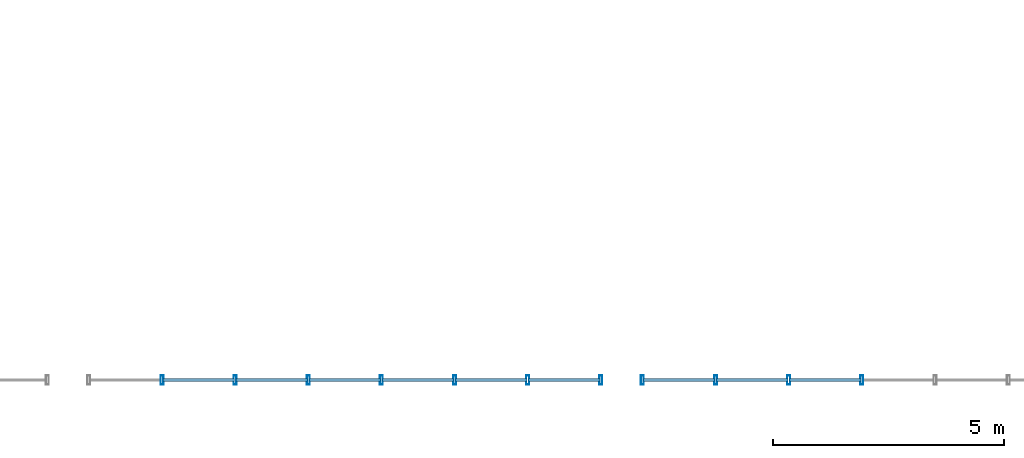
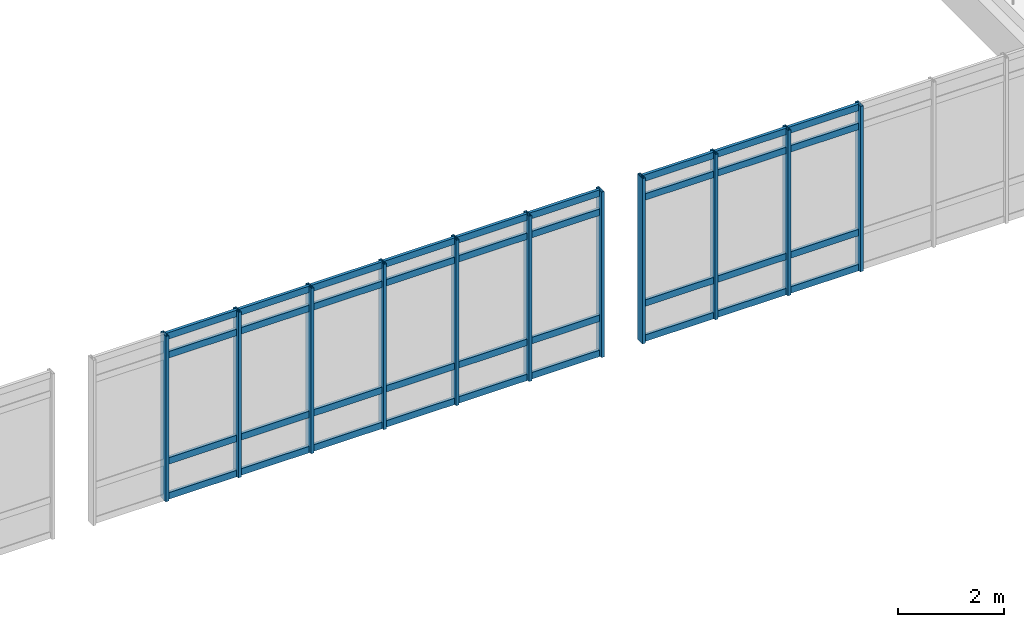
# One storey, part 100 of 161: 47 members, 2 elements without a shape of their own.
"""IFC4 building model written with IfcOpenShell, lengths in metres."""

import ifcopenshell
import ifcopenshell.guid

model = None  # the IFC model being written
_history = None  # IfcOwnerHistory: only IFC2X3 demands one
_inside = {}  # id of a spatial element -> (the spatial element, [elements in it])
_under = {}  # id of a project, library or spatial element -> (it, [spatial elements below it])
_declared = {}  # id of a project -> (the project, [libraries it declares])
_typed = {}  # id of a type object -> (the type object, [elements of that type])
_made_of = {}  # id of a material, layer set ... -> (it, [elements and type objects made of it])


def new_model(schema):
    """Start an empty IFC model of exactly this schema.

    Asked for "IFC4X3", IfcOpenShell would pick the latest addendum, in which some entities
    have other attributes; the version numbers below select the first issue.
    IFC2X3 requires an IfcOwnerHistory on every rooted entity: one is made here for all.
    """
    global model, _history
    if schema == "IFC4X3":
        model = ifcopenshell.file(schema_version=(4, 3, 0, 0))
    else:
        model = ifcopenshell.file(schema=schema)
    _inside.clear()
    _under.clear()
    _declared.clear()
    _typed.clear()
    _made_of.clear()
    _history = None
    if model.schema == "IFC2X3":
        org = make("IfcOrganization", Name="unknown")
        user = make(
            "IfcPersonAndOrganization",
            ThePerson=make("IfcPerson", FamilyName="unknown"),
            TheOrganization=org,
        )
        app = make(
            "IfcApplication",
            ApplicationDeveloper=org,
            Version="unknown",
            ApplicationFullName="unknown",
            ApplicationIdentifier="unknown",
        )
        _history = make(
            "IfcOwnerHistory",
            OwningUser=user,
            OwningApplication=app,
            ChangeAction="ADDED",
            CreationDate=0,
        )
    return model


def make(cls, **values):
    """One entity of the class cls with the attributes given. An attribute that is None is left unset."""
    return model.create_entity(
        cls, **{name: value for name, value in values.items() if value is not None}
    )


def rooted(cls, **values):
    """An entity with a GlobalId (a new one), such as an element, a storey or a relation."""
    return make(cls, GlobalId=ifcopenshell.guid.new(), OwnerHistory=_history, **values)


def si_unit(unit_type, name, prefix=None):
    """IfcSIUnit, for example si_unit("LENGTHUNIT", "METRE", prefix="MILLI")."""
    return make("IfcSIUnit", UnitType=unit_type, Prefix=prefix, Name=name)


def assignment(units):
    """IfcUnitAssignment: the units of a project."""
    return None if units is None else make("IfcUnitAssignment", Units=units)


def point(xyz):
    """IfcCartesianPoint."""
    return None if xyz is None else make("IfcCartesianPoint", Coordinates=xyz)


def direction(xyz):
    """IfcDirection."""
    return None if xyz is None else make("IfcDirection", DirectionRatios=xyz)


def frame(location, z_axis=None, x_axis=None):
    """IfcAxis2Placement3D, a coordinate frame: its origin and axes. An axis left out is left unset."""
    return make(
        "IfcAxis2Placement3D",
        Location=point(location),
        Axis=direction(z_axis),
        RefDirection=direction(x_axis),
    )


def frame_2d(location, x_axis=None):
    """IfcAxis2Placement2D, a coordinate frame in the plane: its origin and x axis."""
    return make(
        "IfcAxis2Placement2D", Location=point(location), RefDirection=direction(x_axis)
    )


def origin():
    """The frame at (0, 0, 0) with its axes left unset."""
    return frame((0.0, 0.0, 0.0))


def origin_2d():
    """The frame at (0, 0) in the plane with its x axis left unset."""
    return frame_2d((0.0, 0.0))


def place(relative_to, where):
    """IfcLocalPlacement: puts the frame where relative to a parent placement (None: the world)."""
    return make(
        "IfcLocalPlacement", PlacementRelTo=relative_to, RelativePlacement=where
    )


def context(
    kind, dimensions, precision=None, world=None, true_north=None, identifier=None
):
    """IfcGeometricRepresentationContext, for example the 3D "Model" context."""
    return make(
        "IfcGeometricRepresentationContext",
        ContextIdentifier=identifier,
        ContextType=kind,
        CoordinateSpaceDimension=dimensions,
        Precision=precision,
        WorldCoordinateSystem=world,
        TrueNorth=true_north,
    )


def subcontext(parent, identifier, kind, view, scale=None):
    """IfcGeometricRepresentationSubContext, for example "Body" below "Model"."""
    return make(
        "IfcGeometricRepresentationSubContext",
        ContextIdentifier=identifier,
        ContextType=kind,
        ParentContext=parent,
        TargetScale=scale,
        TargetView=view,
    )


def project(units=None, contexts=None):
    """IfcProject with its units and contexts."""
    return rooted(
        "IfcProject",
        Name="project",
        RepresentationContexts=contexts,
        UnitsInContext=assignment(units),
    )


def spatial(cls, under=None, at=None, **own):
    """A site, building, storey or space (cls), placed at a placement, below another one or the project."""
    s = rooted(cls, ObjectPlacement=at, **own)
    if under is not None:
        _under.setdefault(under.id(), (under, []))[1].append(s)
    return s


def profile(cls, at=None, kind="AREA", **sizes):
    """A parametric profile (cls). Its sizes go by their IFC names, for example OverallWidth=200.0."""
    return make(cls, ProfileType=kind, Position=at, **sizes)


def hollow_rectangle(**sizes):
    """IfcRectangleHollowProfileDef."""
    return profile("IfcRectangleHollowProfileDef", **sizes)


def extrude(swept, where, along, depth):
    """IfcExtrudedAreaSolid: the profile swept, set in the frame where, extruded along a direction by depth."""
    return make(
        "IfcExtrudedAreaSolid",
        SweptArea=swept,
        Position=where,
        ExtrudedDirection=direction(along),
        Depth=depth,
    )


def shape(context_of_items, identifier, shape_type, items):
    """IfcShapeRepresentation: the items that make up one representation, for example the "Body"."""
    return make(
        "IfcShapeRepresentation",
        ContextOfItems=context_of_items,
        RepresentationIdentifier=identifier,
        RepresentationType=shape_type,
        Items=items,
    )


def material(Name=None, Category=None):
    """IfcMaterial."""
    return make("IfcMaterial", Name=Name, Category=Category)


def layer(
    of_material, thickness, ventilated=None, Name=None, Category=None, Priority=None
):
    """IfcMaterialLayer: one layer of a wall or slab, of a material (None: an air gap)."""
    return make(
        "IfcMaterialLayer",
        Material=of_material,
        LayerThickness=thickness,
        IsVentilated=ventilated,
        Name=Name,
        Category=Category,
        Priority=Priority,
    )


def layer_set(layers, Name=None):
    """IfcMaterialLayerSet."""
    return make("IfcMaterialLayerSet", MaterialLayers=layers, LayerSetName=Name)


def material_profile(
    of_material, cross_section, Name=None, Category=None, Priority=None
):
    """IfcMaterialProfile: a cross section and its material."""
    return make(
        "IfcMaterialProfile",
        Name=Name,
        Material=of_material,
        Profile=cross_section,
        Priority=Priority,
        Category=Category,
    )


def profile_set(profiles, Name=None, composite=None):
    """IfcMaterialProfileSet."""
    return make(
        "IfcMaterialProfileSet",
        Name=Name,
        MaterialProfiles=profiles,
        CompositeProfile=composite,
    )


def made_of(thing, what):
    """Note that an element or type object is made of a material, layer set ...; save() writes the relation."""
    if what is not None:
        _made_of.setdefault(what.id(), (what, []))[1].append(thing)
    return thing


def type_object(cls, material=None, **own):
    """A type object (cls), such as IfcWallType, which elements share."""
    return made_of(rooted(cls, **own), material)


def element(
    cls,
    number,
    at=None,
    inside=None,
    cuts=None,
    type_object=None,
    material=None,
    context=None,
    identifier="Body",
    shape_type=None,
    held_by="IfcProductDefinitionShape",
    body=None,
    shapes=None,
    **own,
):
    """One element of the class cls, such as IfcWall. Its Tag is "e" and its number.

    at: its placement. inside: the storey or other place that contains it. cuts: it is an
    opening in that element (IfcRelVoidsElement). A single representation is given by context,
    identifier, shape_type and body (its items); several are given by shapes. held_by: the class
    of the entity that holds the representations. save() writes the other relations.
    """
    e = rooted(cls, Tag="e%d" % number, ObjectPlacement=at, **own)
    if body is not None:
        shapes = [shape(context, identifier, shape_type, body)]
    if shapes is not None:
        e.Representation = make(held_by, Representations=shapes)
    if inside is not None:
        _inside.setdefault(inside.id(), (inside, []))[1].append(e)
    if cuts is not None:
        rooted(
            "IfcRelVoidsElement", RelatingBuildingElement=cuts, RelatedOpeningElement=e
        )
    if type_object is not None:
        _typed.setdefault(type_object.id(), (type_object, []))[1].append(e)
    return made_of(e, material)


def aggregate(whole, parts):
    """IfcRelAggregates: a whole, such as a stair, and the parts it consists of."""
    return rooted("IfcRelAggregates", RelatingObject=whole, RelatedObjects=parts)


def save(model, path):
    """Write the relations noted so far, then the file.

    IfcRelAggregates (storeys below a building ...), IfcRelContainedInSpatialStructure (elements
    in a storey), IfcRelDefinesByType, IfcRelAssociatesMaterial and IfcRelDeclares: one each for
    every whole, place, type object, material and project.
    """
    for whole, parts in _under.values():
        aggregate(whole, parts)
    for where, things in _inside.values():
        rooted(
            "IfcRelContainedInSpatialStructure",
            RelatedElements=things,
            RelatingStructure=where,
        )
    for kind, things in _typed.values():
        rooted("IfcRelDefinesByType", RelatedObjects=things, RelatingType=kind)
    for what, things in _made_of.values():
        rooted("IfcRelAssociatesMaterial", RelatedObjects=things, RelatingMaterial=what)
    for by, libraries in _declared.values():
        rooted("IfcRelDeclares", RelatingContext=by, RelatedDefinitions=libraries)
    model.write(path)


model = new_model("IFC4")

# Units and contexts
model_context = context("Model", 3, precision=1e-05, world=origin(), true_north=direction((0.0, 1.0)))
body_context = subcontext(model_context, "Body", "Model", "MODEL_VIEW")
ifc_project = project(units=[si_unit("LENGTHUNIT", "METRE"), si_unit("AREAUNIT", "SQUARE_METRE"), si_unit("VOLUMEUNIT", "CUBIC_METRE"), si_unit("PLANEANGLEUNIT", "RADIAN"), si_unit("MASSUNIT", "GRAM", prefix="KILO")], contexts=[model_context])

# Site, building, storey
site_placement = place(None, origin())
site = spatial("IfcSite", under=ifc_project, at=site_placement, CompositionType="ELEMENT")
building_placement = place(site_placement, origin())
building = spatial("IfcBuilding", under=site, at=building_placement, Name="Mersad Railyard Sports Hall", CompositionType="ELEMENT")
storey_placement = place(building_placement, frame((0.0, 0.0, 4.800048828125)))
storey = spatial("IfcBuildingStorey", under=building, at=storey_placement, Name="L01", CompositionType="ELEMENT", Elevation=4.800048828125)

# Curtain wall, members
ifc_material = material(Name="Aluminium 6063-T6", Category="aluminium")
ifc_layer_1 = layer(ifc_material, 0.199951171875)
ifc_layer_set_1 = layer_set([ifc_layer_1], Name="Aluminium 6063-T6")
curtain_wall_type_1 = type_object("IfcCurtainWallType", Name="ARC-CW-CW12", PredefinedType="USERDEFINED", material=ifc_layer_set_1)
curtain_wall_1_placement = place(storey_placement, origin())
curtain_wall_1 = element("IfcCurtainWall", 1, at=curtain_wall_1_placement, inside=storey, type_object=curtain_wall_type_1, Name="Curtain wall CW12-0039", ObjectType="CURTAIN WALL", PredefinedType="USERDEFINED")
ifc_material_profile_1 = material_profile(ifc_material, hollow_rectangle(XDim=0.06494140625, YDim=0.199951171875, WallThickness=0.0048828125, at=origin_2d()), Name="AL MULLION 65x200x5")
ifc_profile_set_1 = profile_set([ifc_material_profile_1], Name="Aluminium 6063-T6")
member_type_1 = type_object("IfcMemberType", Name="ARC-CW-MUL02", PredefinedType="MULLION", material=ifc_profile_set_1)
member_1_placement = place(storey_placement, frame((160.550048828125, 3.5, -0.02001953125), z_axis=(0.0, 0.0, 1.0), x_axis=(1.0, 0.0, 0.0)))
member_1 = element("IfcMember", 2, at=member_1_placement, type_object=member_type_1, Name="CW12 Mullion 1", PredefinedType="MULLION", context=body_context, shape_type="SweptSolid", body=[
    extrude(hollow_rectangle(XDim=0.06494140625, YDim=0.199951171875, WallThickness=0.0048828125, at=origin_2d()), origin(), (0.0, 0.0, 1.0), 3.820068359375),
])
member_2_placement = place(storey_placement, frame((158.96435546875, 3.5, -0.02001953125), z_axis=(0.0, 0.0, 1.0), x_axis=(1.0, 0.0, 0.0)))
member_2 = element("IfcMember", 3, at=member_2_placement, type_object=member_type_1, Name="CW12 Mullion 2", PredefinedType="MULLION", context=body_context, shape_type="SweptSolid", body=[
    extrude(hollow_rectangle(XDim=0.06494140625, YDim=0.199951171875, WallThickness=0.0048828125, at=origin_2d()), origin(), (0.0, 0.0, 1.0), 3.820068359375),
])
member_3_placement = place(storey_placement, frame((157.378662109375, 3.5, -0.02001953125), z_axis=(0.0, 0.0, 1.0), x_axis=(1.0, 0.0, 0.0)))
member_3 = element("IfcMember", 4, at=member_3_placement, type_object=member_type_1, Name="CW12 Mullion 3", PredefinedType="MULLION", context=body_context, shape_type="SweptSolid", body=[
    extrude(hollow_rectangle(XDim=0.06494140625, YDim=0.199951171875, WallThickness=0.0048828125, at=origin_2d()), origin(), (0.0, 0.0, 1.0), 3.820068359375),
])
member_4_placement = place(storey_placement, frame((155.79296875, 3.5, -0.02001953125), z_axis=(0.0, 0.0, 1.0), x_axis=(1.0, 0.0, 0.0)))
member_4 = element("IfcMember", 5, at=member_4_placement, type_object=member_type_1, Name="CW12 Mullion 4", PredefinedType="MULLION", context=body_context, shape_type="SweptSolid", body=[
    extrude(hollow_rectangle(XDim=0.06494140625, YDim=0.199951171875, WallThickness=0.0048828125, at=origin_2d()), origin(), (0.0, 0.0, 1.0), 3.820068359375),
])
member_5_placement = place(storey_placement, frame((154.20703125, 3.5, -0.02001953125), z_axis=(0.0, 0.0, 1.0), x_axis=(1.0, 0.0, 0.0)))
member_5 = element("IfcMember", 6, at=member_5_placement, type_object=member_type_1, Name="CW12 Mullion 5", PredefinedType="MULLION", context=body_context, shape_type="SweptSolid", body=[
    extrude(hollow_rectangle(XDim=0.06494140625, YDim=0.199951171875, WallThickness=0.0048828125, at=origin_2d()), origin(), (0.0, 0.0, 1.0), 3.820068359375),
])
member_6_placement = place(storey_placement, frame((152.621337890625, 3.5, -0.02001953125), z_axis=(0.0, 0.0, 1.0), x_axis=(1.0, 0.0, 0.0)))
member_6 = element("IfcMember", 7, at=member_6_placement, type_object=member_type_1, Name="CW12 Mullion 6", PredefinedType="MULLION", context=body_context, shape_type="SweptSolid", body=[
    extrude(hollow_rectangle(XDim=0.06494140625, YDim=0.199951171875, WallThickness=0.0048828125, at=origin_2d()), origin(), (0.0, 0.0, 1.0), 3.820068359375),
])
member_7_placement = place(storey_placement, frame((151.03564453125, 3.5, -0.02001953125), z_axis=(0.0, 0.0, 1.0), x_axis=(1.0, 0.0, 0.0)))
member_7 = element("IfcMember", 8, at=member_7_placement, type_object=member_type_1, Name="CW12 Mullion 7", PredefinedType="MULLION", context=body_context, shape_type="SweptSolid", body=[
    extrude(hollow_rectangle(XDim=0.06494140625, YDim=0.199951171875, WallThickness=0.0048828125, at=origin_2d()), origin(), (0.0, 0.0, 1.0), 3.820068359375),
])

ifc_layer_2 = layer(ifc_material, 0.199951171875)
ifc_layer_set_2 = layer_set([ifc_layer_2], Name="Aluminium 6063-T6")
curtain_wall_type_2 = type_object("IfcCurtainWallType", Name="ARC-CW-CW10", PredefinedType="USERDEFINED", material=ifc_layer_set_2)
curtain_wall_2_placement = place(storey_placement, origin())
curtain_wall_2 = element("IfcCurtainWall", 9, at=curtain_wall_2_placement, inside=storey, type_object=curtain_wall_type_2, Name="Curtain wall CW10-0041", ObjectType="CURTAIN WALL", PredefinedType="USERDEFINED")
member_8_placement = place(storey_placement, frame((166.209228515625, 3.5, -0.02001953125), z_axis=(0.0, 0.0, 1.0), x_axis=(1.0, 0.0, 0.0)))
member_8 = element("IfcMember", 10, at=member_8_placement, type_object=member_type_1, Name="CW10 Mullion 5", PredefinedType="MULLION", context=body_context, shape_type="SweptSolid", body=[
    extrude(hollow_rectangle(XDim=0.06494140625, YDim=0.199951171875, WallThickness=0.0048828125, at=origin_2d()), origin(), (0.0, 0.0, 1.0), 3.820068359375),
])
member_9_placement = place(storey_placement, frame((164.622802734375, 3.5, -0.02001953125), z_axis=(0.0, 0.0, 1.0), x_axis=(1.0, 0.0, 0.0)))
member_9 = element("IfcMember", 11, at=member_9_placement, type_object=member_type_1, Name="CW10 Mullion 6", PredefinedType="MULLION", context=body_context, shape_type="SweptSolid", body=[
    extrude(hollow_rectangle(XDim=0.06494140625, YDim=0.199951171875, WallThickness=0.0048828125, at=origin_2d()), origin(), (0.0, 0.0, 1.0), 3.820068359375),
])
member_10_placement = place(storey_placement, frame((163.036376953125, 3.5, -0.02001953125), z_axis=(0.0, 0.0, 1.0), x_axis=(1.0, 0.0, 0.0)))
member_10 = element("IfcMember", 12, at=member_10_placement, type_object=member_type_1, Name="CW10 Mullion 7", PredefinedType="MULLION", context=body_context, shape_type="SweptSolid", body=[
    extrude(hollow_rectangle(XDim=0.06494140625, YDim=0.199951171875, WallThickness=0.0048828125, at=origin_2d()), origin(), (0.0, 0.0, 1.0), 3.820068359375),
])
member_11_placement = place(storey_placement, frame((161.449951171875, 3.5, -0.02001953125), z_axis=(0.0, 0.0, 1.0), x_axis=(1.0, 0.0, 0.0)))
member_11 = element("IfcMember", 13, at=member_11_placement, type_object=member_type_1, Name="CW10 Mullion 8", PredefinedType="MULLION", context=body_context, shape_type="SweptSolid", body=[
    extrude(hollow_rectangle(XDim=0.06494140625, YDim=0.199951171875, WallThickness=0.0048828125, at=origin_2d()), origin(), (0.0, 0.0, 1.0), 3.820068359375),
])

# Member
ifc_material_profile_2 = material_profile(ifc_material, hollow_rectangle(XDim=0.06494140625, YDim=0.14990234375, WallThickness=0.00439453125, at=origin_2d()), Name="AL TRANSOM 65x150x4.5")
ifc_profile_set_2 = profile_set([ifc_material_profile_2], Name="Aluminium 6063-T6")
member_type_2 = type_object("IfcMemberType", Name="ARC-CW-TRN02", PredefinedType="USERDEFINED", material=ifc_profile_set_2)
member_12_placement = place(storey_placement, frame((160.530029296875, 3.5, 0.0400390625), z_axis=(-1.0, 0.0, 0.0), x_axis=(0.0, -1.0, 0.0)))
member_12 = element("IfcMember", 14, at=member_12_placement, type_object=member_type_2, Name="CW12 Transom 1-1", ObjectType="TRANSOM", PredefinedType="USERDEFINED", context=body_context, shape_type="SweptSolid", body=[
    extrude(hollow_rectangle(XDim=0.06494140625, YDim=0.14990234375, WallThickness=0.00439453125, at=origin_2d()), origin(), (0.0, 0.0, 1.0), 1.545654296875),
])

member_13_placement = place(storey_placement, frame((158.9443359375, 3.5, 0.0400390625), z_axis=(-1.0, 0.0, 0.0), x_axis=(0.0, -1.0, 0.0)))
member_13 = element("IfcMember", 15, at=member_13_placement, type_object=member_type_2, Name="CW12 Transom 1-2", ObjectType="TRANSOM", PredefinedType="USERDEFINED", context=body_context, shape_type="SweptSolid", body=[
    extrude(hollow_rectangle(XDim=0.06494140625, YDim=0.14990234375, WallThickness=0.00439453125, at=origin_2d()), origin(), (0.0, 0.0, 1.0), 1.545654296875),
])

member_14_placement = place(storey_placement, frame((157.358642578125, 3.5, 0.0400390625), z_axis=(-1.0, 0.0, 0.0), x_axis=(0.0, -1.0, 0.0)))
member_14 = element("IfcMember", 16, at=member_14_placement, type_object=member_type_2, Name="CW12 Transom 1-3", ObjectType="TRANSOM", PredefinedType="USERDEFINED", context=body_context, shape_type="SweptSolid", body=[
    extrude(hollow_rectangle(XDim=0.06494140625, YDim=0.14990234375, WallThickness=0.00439453125, at=origin_2d()), origin(), (0.0, 0.0, 1.0), 1.5458984375),
])

member_15_placement = place(storey_placement, frame((155.77294921875, 3.5, 0.0400390625), z_axis=(-1.0, 0.0, 0.0), x_axis=(0.0, -1.0, 0.0)))
member_15 = element("IfcMember", 17, at=member_15_placement, type_object=member_type_2, Name="CW12 Transom 1-4", ObjectType="TRANSOM", PredefinedType="USERDEFINED", context=body_context, shape_type="SweptSolid", body=[
    extrude(hollow_rectangle(XDim=0.06494140625, YDim=0.14990234375, WallThickness=0.00439453125, at=origin_2d()), origin(), (0.0, 0.0, 1.0), 1.5458984375),
])

member_16_placement = place(storey_placement, frame((154.187255859375, 3.5, 0.0400390625), z_axis=(-1.0, 0.0, 0.0), x_axis=(0.0, -1.0, 0.0)))
member_16 = element("IfcMember", 18, at=member_16_placement, type_object=member_type_2, Name="CW12 Transom 1-5", ObjectType="TRANSOM", PredefinedType="USERDEFINED", context=body_context, shape_type="SweptSolid", body=[
    extrude(hollow_rectangle(XDim=0.06494140625, YDim=0.14990234375, WallThickness=0.00439453125, at=origin_2d()), origin(), (0.0, 0.0, 1.0), 1.5458984375),
])

member_17_placement = place(storey_placement, frame((152.601318359375, 3.5, 0.0400390625), z_axis=(-1.0, 0.0, 0.0), x_axis=(0.0, -1.0, 0.0)))
member_17 = element("IfcMember", 19, at=member_17_placement, type_object=member_type_2, Name="CW12 Transom 1-6", ObjectType="TRANSOM", PredefinedType="USERDEFINED", context=body_context, shape_type="SweptSolid", body=[
    extrude(hollow_rectangle(XDim=0.06494140625, YDim=0.14990234375, WallThickness=0.00439453125, at=origin_2d()), origin(), (0.0, 0.0, 1.0), 1.545654296875),
])

member_18_placement = place(storey_placement, frame((160.530029296875, 3.5, 0.849853515625), z_axis=(-1.0, 0.0, 0.0), x_axis=(0.0, -1.0, 0.0)))
member_18 = element("IfcMember", 20, at=member_18_placement, type_object=member_type_2, Name="CW12 Transom 2-1", ObjectType="TRANSOM", PredefinedType="USERDEFINED", context=body_context, shape_type="SweptSolid", body=[
    extrude(hollow_rectangle(XDim=0.06494140625, YDim=0.14990234375, WallThickness=0.00439453125, at=origin_2d()), origin(), (0.0, 0.0, 1.0), 1.545654296875),
])

member_19_placement = place(storey_placement, frame((158.9443359375, 3.5, 0.849853515625), z_axis=(-1.0, 0.0, 0.0), x_axis=(0.0, -1.0, 0.0)))
member_19 = element("IfcMember", 21, at=member_19_placement, type_object=member_type_2, Name="CW12 Transom 2-2", ObjectType="TRANSOM", PredefinedType="USERDEFINED", context=body_context, shape_type="SweptSolid", body=[
    extrude(hollow_rectangle(XDim=0.06494140625, YDim=0.14990234375, WallThickness=0.00439453125, at=origin_2d()), origin(), (0.0, 0.0, 1.0), 1.545654296875),
])

member_20_placement = place(storey_placement, frame((157.358642578125, 3.5, 0.849853515625), z_axis=(-1.0, 0.0, 0.0), x_axis=(0.0, -1.0, 0.0)))
member_20 = element("IfcMember", 22, at=member_20_placement, type_object=member_type_2, Name="CW12 Transom 2-3", ObjectType="TRANSOM", PredefinedType="USERDEFINED", context=body_context, shape_type="SweptSolid", body=[
    extrude(hollow_rectangle(XDim=0.06494140625, YDim=0.14990234375, WallThickness=0.00439453125, at=origin_2d()), origin(), (0.0, 0.0, 1.0), 1.5458984375),
])

member_21_placement = place(storey_placement, frame((155.77294921875, 3.5, 0.849853515625), z_axis=(-1.0, 0.0, 0.0), x_axis=(0.0, -1.0, 0.0)))
member_21 = element("IfcMember", 23, at=member_21_placement, type_object=member_type_2, Name="CW12 Transom 2-4", ObjectType="TRANSOM", PredefinedType="USERDEFINED", context=body_context, shape_type="SweptSolid", body=[
    extrude(hollow_rectangle(XDim=0.06494140625, YDim=0.14990234375, WallThickness=0.00439453125, at=origin_2d()), origin(), (0.0, 0.0, 1.0), 1.5458984375),
])

member_22_placement = place(storey_placement, frame((154.187255859375, 3.5, 0.849853515625), z_axis=(-1.0, 0.0, 0.0), x_axis=(0.0, -1.0, 0.0)))
member_22 = element("IfcMember", 24, at=member_22_placement, type_object=member_type_2, Name="CW12 Transom 2-5", ObjectType="TRANSOM", PredefinedType="USERDEFINED", context=body_context, shape_type="SweptSolid", body=[
    extrude(hollow_rectangle(XDim=0.06494140625, YDim=0.14990234375, WallThickness=0.00439453125, at=origin_2d()), origin(), (0.0, 0.0, 1.0), 1.5458984375),
])

member_23_placement = place(storey_placement, frame((152.601318359375, 3.5, 0.849853515625), z_axis=(-1.0, 0.0, 0.0), x_axis=(0.0, -1.0, 0.0)))
member_23 = element("IfcMember", 25, at=member_23_placement, type_object=member_type_2, Name="CW12 Transom 2-6", ObjectType="TRANSOM", PredefinedType="USERDEFINED", context=body_context, shape_type="SweptSolid", body=[
    extrude(hollow_rectangle(XDim=0.06494140625, YDim=0.14990234375, WallThickness=0.00439453125, at=origin_2d()), origin(), (0.0, 0.0, 1.0), 1.545654296875),
])

member_24_placement = place(storey_placement, frame((160.530029296875, 3.5, 3.300048828125), z_axis=(-1.0, 0.0, 0.0), x_axis=(0.0, -1.0, 0.0)))
member_24 = element("IfcMember", 26, at=member_24_placement, type_object=member_type_2, Name="CW12 Transom 3-1", ObjectType="TRANSOM", PredefinedType="USERDEFINED", context=body_context, shape_type="SweptSolid", body=[
    extrude(hollow_rectangle(XDim=0.06494140625, YDim=0.14990234375, WallThickness=0.00439453125, at=origin_2d()), origin(), (0.0, 0.0, 1.0), 1.545654296875),
])

member_25_placement = place(storey_placement, frame((158.9443359375, 3.5, 3.300048828125), z_axis=(-1.0, 0.0, 0.0), x_axis=(0.0, -1.0, 0.0)))
member_25 = element("IfcMember", 27, at=member_25_placement, type_object=member_type_2, Name="CW12 Transom 3-2", ObjectType="TRANSOM", PredefinedType="USERDEFINED", context=body_context, shape_type="SweptSolid", body=[
    extrude(hollow_rectangle(XDim=0.06494140625, YDim=0.14990234375, WallThickness=0.00439453125, at=origin_2d()), origin(), (0.0, 0.0, 1.0), 1.545654296875),
])

member_26_placement = place(storey_placement, frame((157.358642578125, 3.5, 3.300048828125), z_axis=(-1.0, 0.0, 0.0), x_axis=(0.0, -1.0, 0.0)))
member_26 = element("IfcMember", 28, at=member_26_placement, type_object=member_type_2, Name="CW12 Transom 3-3", ObjectType="TRANSOM", PredefinedType="USERDEFINED", context=body_context, shape_type="SweptSolid", body=[
    extrude(hollow_rectangle(XDim=0.06494140625, YDim=0.14990234375, WallThickness=0.00439453125, at=origin_2d()), origin(), (0.0, 0.0, 1.0), 1.5458984375),
])

member_27_placement = place(storey_placement, frame((155.77294921875, 3.5, 3.300048828125), z_axis=(-1.0, 0.0, 0.0), x_axis=(0.0, -1.0, 0.0)))
member_27 = element("IfcMember", 29, at=member_27_placement, type_object=member_type_2, Name="CW12 Transom 3-4", ObjectType="TRANSOM", PredefinedType="USERDEFINED", context=body_context, shape_type="SweptSolid", body=[
    extrude(hollow_rectangle(XDim=0.06494140625, YDim=0.14990234375, WallThickness=0.00439453125, at=origin_2d()), origin(), (0.0, 0.0, 1.0), 1.5458984375),
])

member_28_placement = place(storey_placement, frame((154.187255859375, 3.5, 3.300048828125), z_axis=(-1.0, 0.0, 0.0), x_axis=(0.0, -1.0, 0.0)))
member_28 = element("IfcMember", 30, at=member_28_placement, type_object=member_type_2, Name="CW12 Transom 3-5", ObjectType="TRANSOM", PredefinedType="USERDEFINED", context=body_context, shape_type="SweptSolid", body=[
    extrude(hollow_rectangle(XDim=0.06494140625, YDim=0.14990234375, WallThickness=0.00439453125, at=origin_2d()), origin(), (0.0, 0.0, 1.0), 1.5458984375),
])

member_29_placement = place(storey_placement, frame((152.601318359375, 3.5, 3.300048828125), z_axis=(-1.0, 0.0, 0.0), x_axis=(0.0, -1.0, 0.0)))
member_29 = element("IfcMember", 31, at=member_29_placement, type_object=member_type_2, Name="CW12 Transom 3-6", ObjectType="TRANSOM", PredefinedType="USERDEFINED", context=body_context, shape_type="SweptSolid", body=[
    extrude(hollow_rectangle(XDim=0.06494140625, YDim=0.14990234375, WallThickness=0.00439453125, at=origin_2d()), origin(), (0.0, 0.0, 1.0), 1.545654296875),
])

member_30_placement = place(storey_placement, frame((160.530029296875, 3.5, 3.739990234375), z_axis=(-1.0, 0.0, 0.0), x_axis=(0.0, -1.0, 0.0)))
member_30 = element("IfcMember", 32, at=member_30_placement, type_object=member_type_2, Name="CW12 Transom 4-1", ObjectType="TRANSOM", PredefinedType="USERDEFINED", context=body_context, shape_type="SweptSolid", body=[
    extrude(hollow_rectangle(XDim=0.06494140625, YDim=0.14990234375, WallThickness=0.00439453125, at=origin_2d()), origin(), (0.0, 0.0, 1.0), 1.545654296875),
])

member_31_placement = place(storey_placement, frame((158.9443359375, 3.5, 3.739990234375), z_axis=(-1.0, 0.0, 0.0), x_axis=(0.0, -1.0, 0.0)))
member_31 = element("IfcMember", 33, at=member_31_placement, type_object=member_type_2, Name="CW12 Transom 4-2", ObjectType="TRANSOM", PredefinedType="USERDEFINED", context=body_context, shape_type="SweptSolid", body=[
    extrude(hollow_rectangle(XDim=0.06494140625, YDim=0.14990234375, WallThickness=0.00439453125, at=origin_2d()), origin(), (0.0, 0.0, 1.0), 1.545654296875),
])

member_32_placement = place(storey_placement, frame((157.358642578125, 3.5, 3.739990234375), z_axis=(-1.0, 0.0, 0.0), x_axis=(0.0, -1.0, 0.0)))
member_32 = element("IfcMember", 34, at=member_32_placement, type_object=member_type_2, Name="CW12 Transom 4-3", ObjectType="TRANSOM", PredefinedType="USERDEFINED", context=body_context, shape_type="SweptSolid", body=[
    extrude(hollow_rectangle(XDim=0.06494140625, YDim=0.14990234375, WallThickness=0.00439453125, at=origin_2d()), origin(), (0.0, 0.0, 1.0), 1.5458984375),
])

member_33_placement = place(storey_placement, frame((155.77294921875, 3.5, 3.739990234375), z_axis=(-1.0, 0.0, 0.0), x_axis=(0.0, -1.0, 0.0)))
member_33 = element("IfcMember", 35, at=member_33_placement, type_object=member_type_2, Name="CW12 Transom 4-4", ObjectType="TRANSOM", PredefinedType="USERDEFINED", context=body_context, shape_type="SweptSolid", body=[
    extrude(hollow_rectangle(XDim=0.06494140625, YDim=0.14990234375, WallThickness=0.00439453125, at=origin_2d()), origin(), (0.0, 0.0, 1.0), 1.5458984375),
])

member_34_placement = place(storey_placement, frame((154.187255859375, 3.5, 3.739990234375), z_axis=(-1.0, 0.0, 0.0), x_axis=(0.0, -1.0, 0.0)))
member_34 = element("IfcMember", 36, at=member_34_placement, type_object=member_type_2, Name="CW12 Transom 4-5", ObjectType="TRANSOM", PredefinedType="USERDEFINED", context=body_context, shape_type="SweptSolid", body=[
    extrude(hollow_rectangle(XDim=0.06494140625, YDim=0.14990234375, WallThickness=0.00439453125, at=origin_2d()), origin(), (0.0, 0.0, 1.0), 1.5458984375),
])

member_35_placement = place(storey_placement, frame((152.601318359375, 3.5, 3.739990234375), z_axis=(-1.0, 0.0, 0.0), x_axis=(0.0, -1.0, 0.0)))
member_35 = element("IfcMember", 37, at=member_35_placement, type_object=member_type_2, Name="CW12 Transom 4-6", ObjectType="TRANSOM", PredefinedType="USERDEFINED", context=body_context, shape_type="SweptSolid", body=[
    extrude(hollow_rectangle(XDim=0.06494140625, YDim=0.14990234375, WallThickness=0.00439453125, at=origin_2d()), origin(), (0.0, 0.0, 1.0), 1.545654296875),
])

aggregate(curtain_wall_1, [member_1, member_2, member_3, member_4, member_5, member_6, member_7, member_12, member_13, member_14, member_15, member_16, member_17, member_18, member_19, member_20, member_21, member_22, member_23, member_24, member_25, member_26, member_27, member_28, member_29, member_30, member_31, member_32, member_33, member_34, member_35])

member_36_placement = place(storey_placement, frame((166.189208984375, 3.5, 0.0400390625), z_axis=(-1.0, 0.0, 0.0), x_axis=(0.0, -1.0, 0.0)))
member_36 = element("IfcMember", 38, at=member_36_placement, type_object=member_type_2, Name="CW10 Transom 1-5", ObjectType="TRANSOM", PredefinedType="USERDEFINED", context=body_context, shape_type="SweptSolid", body=[
    extrude(hollow_rectangle(XDim=0.06494140625, YDim=0.14990234375, WallThickness=0.00439453125, at=origin_2d()), origin(), (0.0, 0.0, 1.0), 1.54638671875),
])

member_37_placement = place(storey_placement, frame((164.602783203125, 3.5, 0.0400390625), z_axis=(-1.0, 0.0, 0.0), x_axis=(0.0, -1.0, 0.0)))
member_37 = element("IfcMember", 39, at=member_37_placement, type_object=member_type_2, Name="CW10 Transom 1-6", ObjectType="TRANSOM", PredefinedType="USERDEFINED", context=body_context, shape_type="SweptSolid", body=[
    extrude(hollow_rectangle(XDim=0.06494140625, YDim=0.14990234375, WallThickness=0.00439453125, at=origin_2d()), origin(), (0.0, 0.0, 1.0), 1.54638671875),
])

member_38_placement = place(storey_placement, frame((163.016357421875, 3.5, 0.0400390625), z_axis=(-1.0, 0.0, 0.0), x_axis=(0.0, -1.0, 0.0)))
member_38 = element("IfcMember", 40, at=member_38_placement, type_object=member_type_2, Name="CW10 Transom 1-7", ObjectType="TRANSOM", PredefinedType="USERDEFINED", context=body_context, shape_type="SweptSolid", body=[
    extrude(hollow_rectangle(XDim=0.06494140625, YDim=0.14990234375, WallThickness=0.00439453125, at=origin_2d()), origin(), (0.0, 0.0, 1.0), 1.54638671875),
])

member_39_placement = place(storey_placement, frame((166.189208984375, 3.5, 0.849853515625), z_axis=(-1.0, 0.0, 0.0), x_axis=(0.0, -1.0, 0.0)))
member_39 = element("IfcMember", 41, at=member_39_placement, type_object=member_type_2, Name="CW10 Transom 2-5", ObjectType="TRANSOM", PredefinedType="USERDEFINED", context=body_context, shape_type="SweptSolid", body=[
    extrude(hollow_rectangle(XDim=0.06494140625, YDim=0.14990234375, WallThickness=0.00439453125, at=origin_2d()), origin(), (0.0, 0.0, 1.0), 1.54638671875),
])

member_40_placement = place(storey_placement, frame((164.602783203125, 3.5, 0.849853515625), z_axis=(-1.0, 0.0, 0.0), x_axis=(0.0, -1.0, 0.0)))
member_40 = element("IfcMember", 42, at=member_40_placement, type_object=member_type_2, Name="CW10 Transom 2-6", ObjectType="TRANSOM", PredefinedType="USERDEFINED", context=body_context, shape_type="SweptSolid", body=[
    extrude(hollow_rectangle(XDim=0.06494140625, YDim=0.14990234375, WallThickness=0.00439453125, at=origin_2d()), origin(), (0.0, 0.0, 1.0), 1.54638671875),
])

member_41_placement = place(storey_placement, frame((163.016357421875, 3.5, 0.849853515625), z_axis=(-1.0, 0.0, 0.0), x_axis=(0.0, -1.0, 0.0)))
member_41 = element("IfcMember", 43, at=member_41_placement, type_object=member_type_2, Name="CW10 Transom 2-7", ObjectType="TRANSOM", PredefinedType="USERDEFINED", context=body_context, shape_type="SweptSolid", body=[
    extrude(hollow_rectangle(XDim=0.06494140625, YDim=0.14990234375, WallThickness=0.00439453125, at=origin_2d()), origin(), (0.0, 0.0, 1.0), 1.54638671875),
])

member_42_placement = place(storey_placement, frame((166.189208984375, 3.5, 3.300048828125), z_axis=(-1.0, 0.0, 0.0), x_axis=(0.0, -1.0, 0.0)))
member_42 = element("IfcMember", 44, at=member_42_placement, type_object=member_type_2, Name="CW10 Transom 3-5", ObjectType="TRANSOM", PredefinedType="USERDEFINED", context=body_context, shape_type="SweptSolid", body=[
    extrude(hollow_rectangle(XDim=0.06494140625, YDim=0.14990234375, WallThickness=0.00439453125, at=origin_2d()), origin(), (0.0, 0.0, 1.0), 1.54638671875),
])

member_43_placement = place(storey_placement, frame((164.602783203125, 3.5, 3.300048828125), z_axis=(-1.0, 0.0, 0.0), x_axis=(0.0, -1.0, 0.0)))
member_43 = element("IfcMember", 45, at=member_43_placement, type_object=member_type_2, Name="CW10 Transom 3-6", ObjectType="TRANSOM", PredefinedType="USERDEFINED", context=body_context, shape_type="SweptSolid", body=[
    extrude(hollow_rectangle(XDim=0.06494140625, YDim=0.14990234375, WallThickness=0.00439453125, at=origin_2d()), origin(), (0.0, 0.0, 1.0), 1.54638671875),
])

member_44_placement = place(storey_placement, frame((163.016357421875, 3.5, 3.300048828125), z_axis=(-1.0, 0.0, 0.0), x_axis=(0.0, -1.0, 0.0)))
member_44 = element("IfcMember", 46, at=member_44_placement, type_object=member_type_2, Name="CW10 Transom 3-7", ObjectType="TRANSOM", PredefinedType="USERDEFINED", context=body_context, shape_type="SweptSolid", body=[
    extrude(hollow_rectangle(XDim=0.06494140625, YDim=0.14990234375, WallThickness=0.00439453125, at=origin_2d()), origin(), (0.0, 0.0, 1.0), 1.54638671875),
])

member_45_placement = place(storey_placement, frame((166.189208984375, 3.5, 3.739990234375), z_axis=(-1.0, 0.0, 0.0), x_axis=(0.0, -1.0, 0.0)))
member_45 = element("IfcMember", 47, at=member_45_placement, type_object=member_type_2, Name="CW10 Transom 4-5", ObjectType="TRANSOM", PredefinedType="USERDEFINED", context=body_context, shape_type="SweptSolid", body=[
    extrude(hollow_rectangle(XDim=0.06494140625, YDim=0.14990234375, WallThickness=0.00439453125, at=origin_2d()), origin(), (0.0, 0.0, 1.0), 1.54638671875),
])

member_46_placement = place(storey_placement, frame((164.602783203125, 3.5, 3.739990234375), z_axis=(-1.0, 0.0, 0.0), x_axis=(0.0, -1.0, 0.0)))
member_46 = element("IfcMember", 48, at=member_46_placement, type_object=member_type_2, Name="CW10 Transom 4-6", ObjectType="TRANSOM", PredefinedType="USERDEFINED", context=body_context, shape_type="SweptSolid", body=[
    extrude(hollow_rectangle(XDim=0.06494140625, YDim=0.14990234375, WallThickness=0.00439453125, at=origin_2d()), origin(), (0.0, 0.0, 1.0), 1.54638671875),
])

member_47_placement = place(storey_placement, frame((163.016357421875, 3.5, 3.739990234375), z_axis=(-1.0, 0.0, 0.0), x_axis=(0.0, -1.0, 0.0)))
member_47 = element("IfcMember", 49, at=member_47_placement, type_object=member_type_2, Name="CW10 Transom 4-7", ObjectType="TRANSOM", PredefinedType="USERDEFINED", context=body_context, shape_type="SweptSolid", body=[
    extrude(hollow_rectangle(XDim=0.06494140625, YDim=0.14990234375, WallThickness=0.00439453125, at=origin_2d()), origin(), (0.0, 0.0, 1.0), 1.54638671875),
])

aggregate(curtain_wall_2, [member_8, member_9, member_10, member_11, member_36, member_37, member_38, member_39, member_40, member_41, member_42, member_43, member_44, member_45, member_46, member_47])

save(model, "model.ifc")
